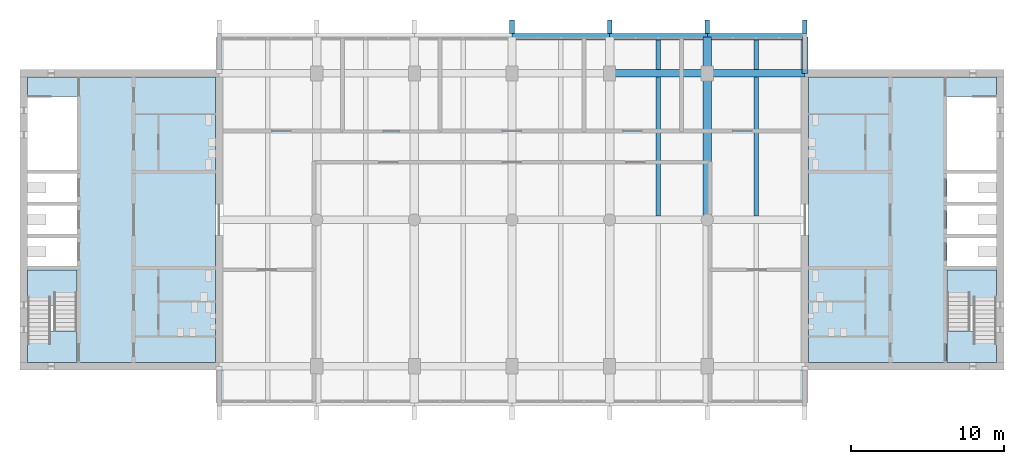
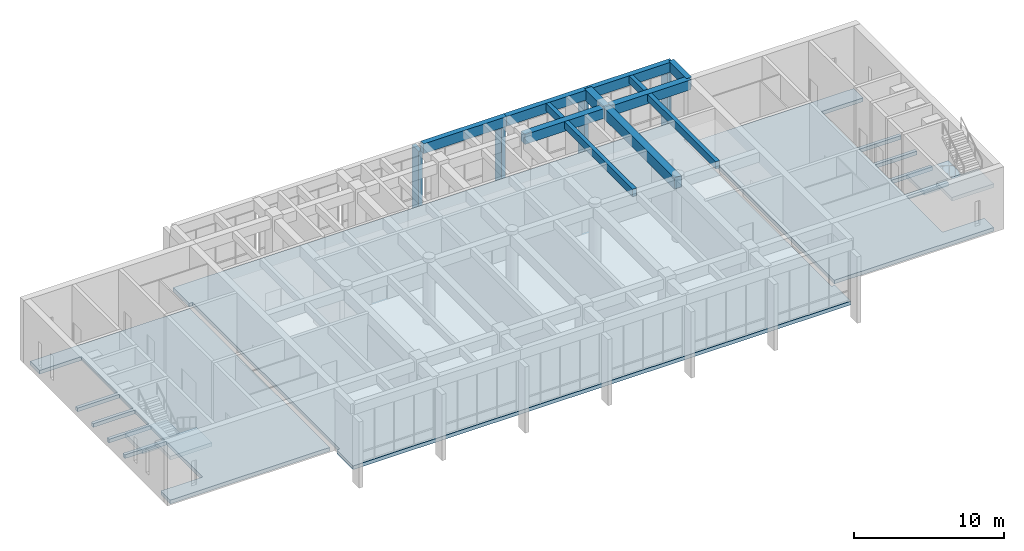
# One storey, part 2 of 10: 12 beams, 7 slabs, 4 members, 2 elements without a shape of their own.
"""IFC4 building model written with IfcOpenShell, lengths in metres."""

from ifc_helpers import new_model, si_unit, direction, frame, origin, origin_2d, place, context, subcontext, project, spatial, polyline, rectangle, outline, extrude, material, layer, layer_set, material_profile, profile_set, type_object, element, aggregate, save


model = new_model("IFC4")

# Units and contexts
model_context = context("Model", 3, precision=1e-05, world=origin(), true_north=direction((0.0, 1.0)))
body_context = subcontext(model_context, "Body", "Model", "MODEL_VIEW")
ifc_project = project(units=[si_unit("LENGTHUNIT", "METRE"), si_unit("AREAUNIT", "SQUARE_METRE"), si_unit("VOLUMEUNIT", "CUBIC_METRE"), si_unit("PLANEANGLEUNIT", "RADIAN"), si_unit("MASSUNIT", "GRAM", prefix="KILO")], contexts=[model_context])

# Site, building, storey
site_placement = place(None, origin())
site = spatial("IfcSite", under=ifc_project, at=site_placement, CompositionType="ELEMENT")
building_placement = place(site_placement, origin())
building = spatial("IfcBuilding", under=site, at=building_placement, Name="Fogon Plaza Fire Station and Headquarters Tower", CompositionType="ELEMENT")
storey_placement = place(building_placement, frame((0.0, 0.0, 64.199951171875)))
storey = spatial("IfcBuildingStorey", under=building, at=storey_placement, Name="L16", CompositionType="ELEMENT", Elevation=64.199951171875)

# Beams
ifc_material_1 = material(Name="Concrete C40", Category="concrete")
ifc_material_profile_1 = material_profile(ifc_material_1, rectangle(XDim=0.39990234375, YDim=0.800048828125, at=origin_2d()), Name="RC 400x800")
ifc_profile_set_1 = profile_set([ifc_material_profile_1], Name="Concrete C40")
beam_type_1 = type_object("IfcBeamType", Name="BEAM RC 400x800", PredefinedType="BEAM", material=ifc_profile_set_1)
beam_1_placement = place(storey_placement, frame((44.800048828125, 55.199951171875, 4.699951171875), z_axis=(1.0, 0.0, 0.0), x_axis=(0.0, 1.0, 0.0)))
element("IfcBeam", 1, at=beam_1_placement, inside=storey, type_object=beam_type_1, Name="beam-L16-048", PredefinedType="BEAM", context=body_context, shape_type="SweptSolid", body=[
    extrude(rectangle(XDim=0.39990234375, YDim=0.800048828125, at=origin_2d()), origin(), (0.0, 0.0, 1.0), 6.39990234375),
])
beam_2_placement = place(storey_placement, frame((51.199951171875, 55.199951171875, 4.699951171875), z_axis=(1.0, 0.0, 0.0), x_axis=(0.0, 1.0, 0.0)))
element("IfcBeam", 2, at=beam_2_placement, inside=storey, type_object=beam_type_1, Name="beam-L16-049", PredefinedType="BEAM", context=body_context, shape_type="SweptSolid", body=[
    extrude(rectangle(XDim=0.39990234375, YDim=0.800048828125, at=origin_2d()), origin(), (0.0, 0.0, 1.0), 6.400146484375),
])
beam_3_placement = place(storey_placement, frame((57.60009765625, 55.199951171875, 4.699951171875), z_axis=(1.0, 0.0, 0.0), x_axis=(0.0, 1.0, 0.0)))
element("IfcBeam", 3, at=beam_3_placement, inside=storey, type_object=beam_type_1, Name="beam-L16-050", PredefinedType="BEAM", context=body_context, shape_type="SweptSolid", body=[
    extrude(rectangle(XDim=0.39990234375, YDim=0.800048828125, at=origin_2d()), origin(), (0.0, 0.0, 1.0), 6.39990234375),
])
ifc_material_2 = material(Name="Concrete C40", Category="concrete")
ifc_material_profile_2 = material_profile(ifc_material_2, rectangle(XDim=0.39990234375, YDim=0.800048828125, at=origin_2d()), Name="RC 400x800")
ifc_profile_set_2 = profile_set([ifc_material_profile_2], Name="Concrete C40")
beam_type_2 = type_object("IfcBeamType", Name="BEAM RC 400x800 SPAN 0.0 TO 3.0 M", PredefinedType="BEAM", material=ifc_profile_set_2)
beam_4_placement = place(storey_placement, frame((64.0, 52.800048828125, 4.699951171875), z_axis=(0.0, 1.0, 0.0), x_axis=(-1.0, 0.0, 0.0)))
element("IfcBeam", 4, at=beam_4_placement, inside=storey, type_object=beam_type_2, Name="beam-L16-054", PredefinedType="BEAM", context=body_context, shape_type="SweptSolid", body=[
    extrude(rectangle(XDim=0.39990234375, YDim=0.800048828125, at=origin_2d()), origin(), (0.0, 0.0, 1.0), 2.39990234375),
])
ifc_material_3 = material(Name="Concrete C40", Category="concrete")
ifc_material_profile_3 = material_profile(ifc_material_3, rectangle(XDim=0.5, YDim=0.800048828125, at=origin_2d()), Name="RC 500x800")
ifc_profile_set_3 = profile_set([ifc_material_profile_3], Name="Concrete C40")
beam_type_3 = type_object("IfcBeamType", Name="BEAM RC 500x800 SPAN 4.8 TO 7.7 M", PredefinedType="BEAM", material=ifc_profile_set_3)
beam_5_placement = place(storey_placement, frame((51.199951171875, 52.800048828125, 4.699951171875), z_axis=(1.0, 0.0, 0.0), x_axis=(0.0, 1.0, 0.0)))
element("IfcBeam", 5, at=beam_5_placement, inside=storey, type_object=beam_type_3, Name="beam-L16-037", PredefinedType="BEAM", context=body_context, shape_type="SweptSolid", body=[
    extrude(rectangle(XDim=0.5, YDim=0.800048828125, at=origin_2d()), origin(), (0.0, 0.0, 1.0), 6.400146484375),
])
beam_6_placement = place(storey_placement, frame((57.60009765625, 52.800048828125, 4.699951171875), z_axis=(1.0, 0.0, 0.0), x_axis=(0.0, 1.0, 0.0)))
element("IfcBeam", 6, at=beam_6_placement, inside=storey, type_object=beam_type_3, Name="beam-L16-038", PredefinedType="BEAM", context=body_context, shape_type="SweptSolid", body=[
    extrude(rectangle(XDim=0.5, YDim=0.800048828125, at=origin_2d()), origin(), (0.0, 0.0, 1.0), 6.39990234375),
])
ifc_material_4 = material(Name="Concrete C40", Category="concrete")
ifc_material_profile_4 = material_profile(ifc_material_4, rectangle(XDim=0.550048828125, YDim=0.89990234375, at=origin_2d()), Name="RC 550x900")
ifc_profile_set_4 = profile_set([ifc_material_profile_4], Name="Concrete C40")
beam_type_4 = type_object("IfcBeamType", Name="BEAM RC 550x900", PredefinedType="BEAM", material=ifc_profile_set_4)
beam_7_placement = place(storey_placement, frame((57.60009765625, 43.199951171875, 4.650146484375), z_axis=(0.0, 1.0, 0.0), x_axis=(-1.0, 0.0, 0.0)))
element("IfcBeam", 7, at=beam_7_placement, inside=storey, type_object=beam_type_4, Name="beam-L16-019", PredefinedType="BEAM", context=body_context, shape_type="SweptSolid", body=[
    extrude(rectangle(XDim=0.550048828125, YDim=0.89990234375, at=origin_2d()), origin(), (0.0, 0.0, 1.0), 9.60009765625),
])
ifc_material_5 = material(Name="Concrete C40", Category="concrete")
ifc_material_profile_5 = material_profile(ifc_material_5, rectangle(XDim=0.550048828125, YDim=0.89990234375, at=origin_2d()), Name="RC 550x900")
ifc_profile_set_5 = profile_set([ifc_material_profile_5], Name="Concrete C40")
beam_type_5 = type_object("IfcBeamType", Name="BEAM RC 550x900 SPAN 0.0 TO 3.0 M", PredefinedType="BEAM", material=ifc_profile_set_5)
beam_8_placement = place(storey_placement, frame((57.60009765625, 52.800048828125, 4.650146484375), z_axis=(0.0, 1.0, 0.0), x_axis=(-1.0, 0.0, 0.0)))
element("IfcBeam", 8, at=beam_8_placement, inside=storey, type_object=beam_type_5, Name="beam-L16-020", PredefinedType="BEAM", context=body_context, shape_type="SweptSolid", body=[
    extrude(rectangle(XDim=0.550048828125, YDim=0.89990234375, at=origin_2d()), origin(), (0.0, 0.0, 1.0), 2.39990234375),
])
ifc_material_6 = material(Name="Concrete C40", Category="concrete")
ifc_material_profile_6 = material_profile(ifc_material_6, rectangle(XDim=0.300048828125, YDim=0.60009765625, at=origin_2d()), Name="RC 300x600")
ifc_profile_set_6 = profile_set([ifc_material_profile_6], Name="Concrete C40")
beam_type_6 = type_object("IfcBeamType", Name="JOIST RC 300x600", PredefinedType="JOIST", material=ifc_profile_set_6)
for number, where, z_axis, x_axis, name in (
    (9, (54.39990234375, 43.449951171875, 4.800048828125), (0.0, 1.0, 0.0), (-1.0, 0.0, 0.0), "beam-L16-073"),
    (10, (60.800048828125, 43.449951171875, 4.800048828125), (0.0, 1.0, 0.0), (-1.0, 0.0, 0.0), "beam-L16-077"),
):
    element("IfcBeam", number, at=place(storey_placement, frame(where, z_axis=z_axis, x_axis=x_axis)), inside=storey, type_object=beam_type_6, Name=name, PredefinedType="JOIST", context=body_context, shape_type="SweptSolid", body=[
        extrude(rectangle(XDim=0.300048828125, YDim=0.60009765625, at=origin_2d()), origin(), (0.0, 0.0, 1.0), 9.10009765625),
    ])
ifc_material_7 = material(Name="Concrete C40", Category="concrete")
ifc_material_profile_7 = material_profile(ifc_material_7, rectangle(XDim=0.300048828125, YDim=0.60009765625, at=origin_2d()), Name="RC 300x600")
ifc_profile_set_7 = profile_set([ifc_material_profile_7], Name="Concrete C40")
beam_type_7 = type_object("IfcBeamType", Name="JOIST RC 300x600 SPAN 0.0 TO 3.0 M", PredefinedType="JOIST", material=ifc_profile_set_7)
for number, where, z_axis, x_axis, name in (
    (11, (54.39990234375, 53.050048828125, 4.800048828125), (0.0, 1.0, 0.0), (-1.0, 0.0, 0.0), "beam-L16-074"),
    (12, (60.800048828125, 53.050048828125, 4.800048828125), (0.0, 1.0, 0.0), (-1.0, 0.0, 0.0), "beam-L16-078"),
):
    element("IfcBeam", number, at=place(storey_placement, frame(where, z_axis=z_axis, x_axis=x_axis)), inside=storey, type_object=beam_type_7, Name=name, PredefinedType="JOIST", context=body_context, shape_type="SweptSolid", body=[
        extrude(rectangle(XDim=0.300048828125, YDim=0.60009765625, at=origin_2d()), origin(), (0.0, 0.0, 1.0), 1.949951171875),
    ])

# Members
ifc_material_8 = material(Name="Concrete C40 precast", Category="concrete")
ifc_material_profile_8 = material_profile(ifc_material_8, rectangle(XDim=0.300048828125, YDim=0.89990234375, at=origin_2d()), Name="Precast Concrete Post 300x900")
ifc_profile_set_8 = profile_set([ifc_material_profile_8], Name="Concrete C40 precast")
member_type = type_object("IfcMemberType", Name="Precast Concrete Post 300x900", PredefinedType="POST", material=ifc_profile_set_8)
for number, where, z_axis, x_axis, name in (
    (13, (44.800048828125, 55.85009765625, -1.099853515625), (0.0, 0.0, 1.0), (1.0, 0.0, 0.0), "Precast Post N L16"),
    (14, (51.199951171875, 55.85009765625, -1.099853515625), (0.0, 0.0, 1.0), (1.0, 0.0, 0.0), "Precast Post N L16"),
    (15, (57.60009765625, 55.85009765625, -1.099853515625), (0.0, 0.0, 1.0), (1.0, 0.0, 0.0), "Precast Post N L16"),
    (16, (64.0, 55.85009765625, -1.099853515625), (0.0, 0.0, 1.0), (1.0, 0.0, 0.0), "Precast Post N L16"),
):
    element("IfcMember", number, at=place(storey_placement, frame(where, z_axis=z_axis, x_axis=x_axis)), inside=storey, type_object=member_type, Name=name, PredefinedType="POST", context=body_context, shape_type="SweptSolid", body=[
        extrude(rectangle(XDim=0.300048828125, YDim=0.89990234375, at=origin_2d()), origin(), (0.0, 0.0, 1.0), 5.39990234375),
    ])

# Slabs
ifc_material_9 = material(Name="Concrete C40", Category="concrete")
ifc_layer_1 = layer(ifc_material_9, 0.300048828125)
ifc_layer_set_1 = layer_set([ifc_layer_1], Name="Concrete C40")
slab_type_1 = type_object("IfcSlabType", Name="Core Floor Slab RC 300", PredefinedType="FLOOR", material=ifc_layer_set_1)
slab_1_placement = place(storey_placement, frame((0.0, 0.0, -0.300048828125)))
element("IfcSlab", 17, at=slab_1_placement, inside=storey, type_object=slab_type_1, Name="Core A floor", PredefinedType="FLOOR", context=body_context, shape_type="SweptSolid", body=[
    extrude(outline(polyline([(13.050048828125, 35.110107421875), (13.050048828125, 33.85009765625), (25.35009765625, 33.85009765625), (25.35009765625, 52.550048828125), (13.050048828125, 52.550048828125), (13.050048828125, 51.2900390625), (16.27490234375, 51.2900390625), (16.27490234375, 46.47509765625), (13.050048828125, 46.47509765625), (13.050048828125, 46.22509765625), (16.27490234375, 46.22509765625), (16.27490234375, 44.375), (13.050048828125, 44.375), (13.050048828125, 44.125), (16.27490234375, 44.125), (16.27490234375, 42.27490234375), (13.050048828125, 42.27490234375), (13.050048828125, 42.02490234375), (16.27490234375, 42.02490234375), (16.27490234375, 40.175048828125), (13.050048828125, 40.175048828125), (13.050048828125, 39.925048828125), (16.27490234375, 39.925048828125), (16.27490234375, 35.110107421875), (13.050048828125, 35.110107421875)])), origin(), (0.0, 0.0, 1.0), 0.300048828125),
])
slab_2_placement = place(storey_placement, frame((0.0, 0.0, -0.300048828125)))
element("IfcSlab", 18, at=slab_2_placement, inside=storey, type_object=slab_type_1, Name="Core B floor", PredefinedType="FLOOR", context=body_context, shape_type="SweptSolid", body=[
    extrude(outline(polyline([(76.550048828125, 35.110107421875), (73.324951171875, 35.110107421875), (73.324951171875, 39.925048828125), (76.550048828125, 39.925048828125), (76.550048828125, 40.175048828125), (73.324951171875, 40.175048828125), (73.324951171875, 42.02490234375), (76.550048828125, 42.02490234375), (76.550048828125, 42.27490234375), (73.324951171875, 42.27490234375), (73.324951171875, 44.125), (76.550048828125, 44.125), (76.550048828125, 44.375), (73.324951171875, 44.375), (73.324951171875, 46.22509765625), (76.550048828125, 46.22509765625), (76.550048828125, 46.47509765625), (73.324951171875, 46.47509765625), (73.324951171875, 51.2900390625), (76.550048828125, 51.2900390625), (76.550048828125, 52.550048828125), (64.25, 52.550048828125), (64.25, 33.85009765625), (76.550048828125, 33.85009765625), (76.550048828125, 35.110107421875)])), origin(), (0.0, 0.0, 1.0), 0.300048828125),
])
ifc_material_10 = material(Name="Concrete C40", Category="concrete")
ifc_layer_2 = layer(ifc_material_10, 0.300048828125)
ifc_layer_set_2 = layer_set([ifc_layer_2], Name="Concrete C40")
slab_type_2 = type_object("IfcSlabType", Name="Floor slab 300 S30", PredefinedType="FLOOR", material=ifc_layer_set_2)
slab_3_placement = place(storey_placement, frame((0.0, 0.0, -0.300048828125)))
element("IfcSlab", 19, at=slab_3_placement, inside=storey, type_object=slab_type_2, Name="slab-L16-bar", PredefinedType="FLOOR", context=body_context, shape_type="SweptSolid", body=[
    extrude(outline(polyline([(64.0, 31.199951171875), (25.60009765625, 31.199951171875), (25.60009765625, 33.35009765625), (25.85009765625, 33.35009765625), (25.85009765625, 53.050048828125), (25.60009765625, 53.050048828125), (25.60009765625, 55.199951171875), (64.0, 55.199951171875), (64.0, 53.050048828125), (63.75, 53.050048828125), (63.75, 33.35009765625), (64.0, 33.35009765625), (64.0, 31.199951171875)])), origin(), (0.0, 0.0, 1.0), 0.300048828125),
])

# Stair, slabs
ifc_material_11 = material(Name="Concrete C40", Category="concrete")
stair_type = type_object("IfcStairType", Name="Exit Stair Two Flights", PredefinedType="TWO_STRAIGHT_RUN_STAIR", material=ifc_material_11)
stair_1_placement = place(storey_placement, origin())
stair_1 = element("IfcStair", 20, at=stair_1_placement, inside=storey, type_object=stair_type, Name="Stair ST1", PredefinedType="TWO_STRAIGHT_RUN_STAIR")
ifc_material_12 = material(Name="Concrete C40", Category="concrete")
ifc_layer_3 = layer(ifc_material_12, 0.300048828125)
ifc_layer_set_3 = layer_set([ifc_layer_3], Name="Concrete C40")
slab_type_3 = type_object("IfcSlabType", Name="Stair Landing RC 300", PredefinedType="LANDING", material=ifc_layer_set_3)
slab_4_placement = place(storey_placement, frame((0.0, 0.0, 1.48388671875)))
slab_4 = element("IfcSlab", 21, at=slab_4_placement, type_object=slab_type_3, Name="ST1 landing L18", PredefinedType="LANDING", context=body_context, shape_type="SweptSolid", body=[
    extrude(outline(polyline([(16.27490234375, 37.580078125), (16.27490234375, 39.925048828125), (13.050048828125, 39.925048828125), (13.050048828125, 37.580078125), (16.27490234375, 37.580078125)])), origin(), (0.0, 0.0, 1.0), 0.300048828125),
])
slab_5_placement = place(storey_placement, frame((0.0, 0.0, 3.267822265625)))
slab_5 = element("IfcSlab", 22, at=slab_5_placement, type_object=slab_type_3, Name="ST1 landing L19", PredefinedType="LANDING", context=body_context, shape_type="SweptSolid", body=[
    extrude(outline(polyline([(16.27490234375, 33.85009765625), (16.27490234375, 35.905029296875), (13.050048828125, 35.905029296875), (13.050048828125, 33.85009765625), (16.27490234375, 33.85009765625)])), origin(), (0.0, 0.0, 1.0), 0.300048828125),
])
aggregate(stair_1, [slab_4, slab_5])

stair_2_placement = place(storey_placement, origin())
stair_2 = element("IfcStair", 23, at=stair_2_placement, inside=storey, type_object=stair_type, Name="Stair ST3", PredefinedType="TWO_STRAIGHT_RUN_STAIR")
slab_6_placement = place(storey_placement, frame((0.0, 0.0, 1.48388671875)))
slab_6 = element("IfcSlab", 24, at=slab_6_placement, type_object=slab_type_3, Name="ST3 landing L18", PredefinedType="LANDING", context=body_context, shape_type="SweptSolid", body=[
    extrude(outline(polyline([(73.324951171875, 37.580078125), (76.550048828125, 37.580078125), (76.550048828125, 39.925048828125), (73.324951171875, 39.925048828125), (73.324951171875, 37.580078125)])), origin(), (0.0, 0.0, 1.0), 0.300048828125),
])
slab_7_placement = place(storey_placement, frame((0.0, 0.0, 3.267822265625)))
slab_7 = element("IfcSlab", 25, at=slab_7_placement, type_object=slab_type_3, Name="ST3 landing L19", PredefinedType="LANDING", context=body_context, shape_type="SweptSolid", body=[
    extrude(outline(polyline([(73.324951171875, 33.85009765625), (76.550048828125, 33.85009765625), (76.550048828125, 35.905029296875), (73.324951171875, 35.905029296875), (73.324951171875, 33.85009765625)])), origin(), (0.0, 0.0, 1.0), 0.300048828125),
])
aggregate(stair_2, [slab_6, slab_7])

save(model, "model.ifc")
